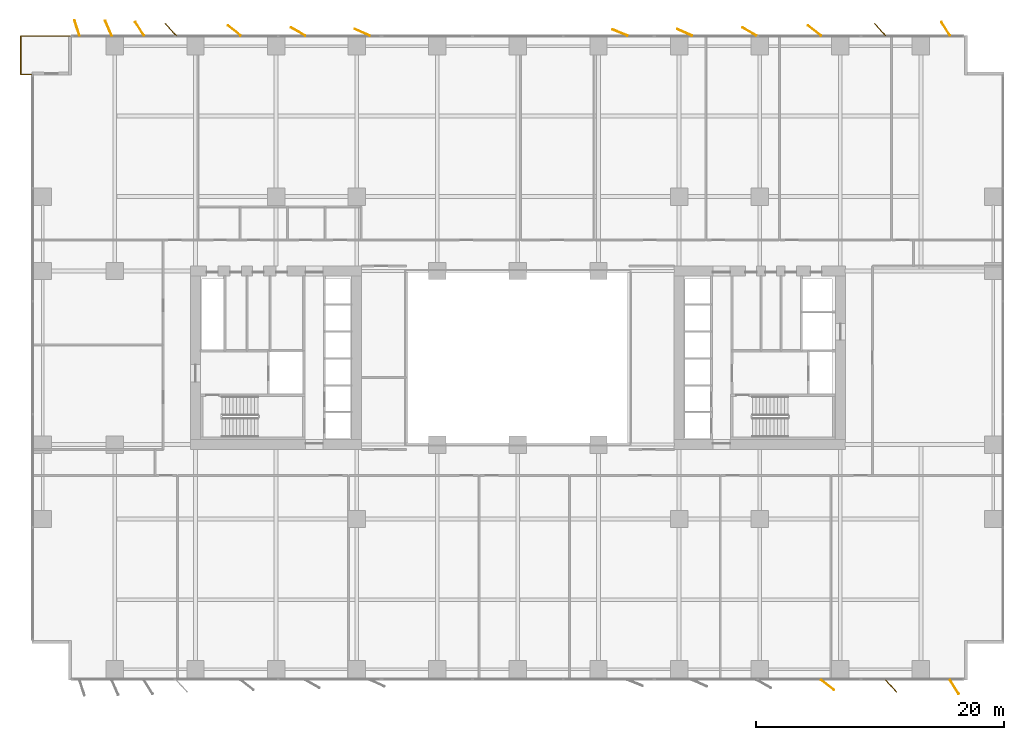
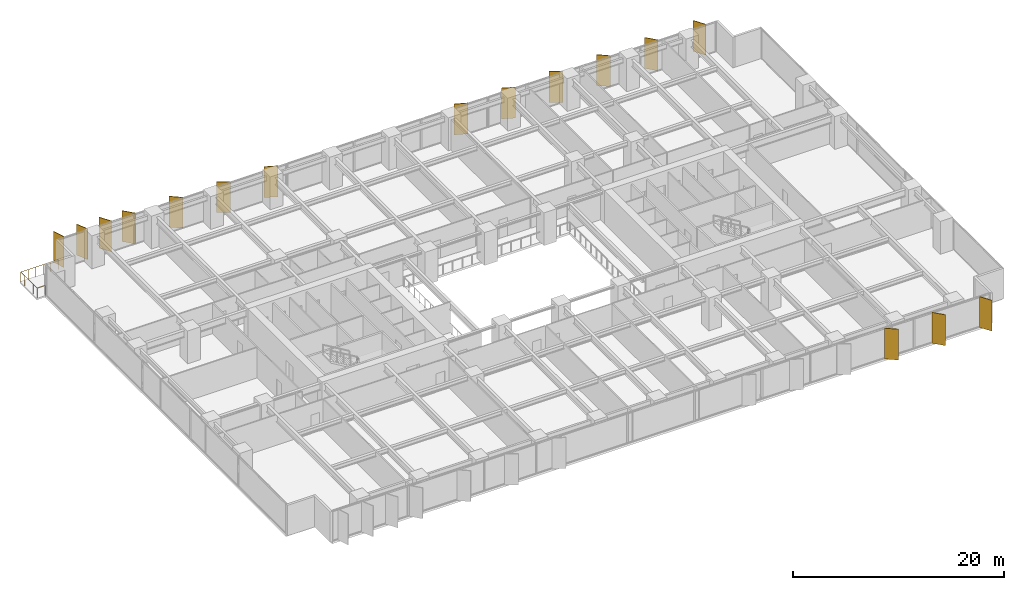
# One storey, part 20 of 20: 16 shading devices, 1 railing.
"""IFC4 building model written with IfcOpenShell, lengths in metres."""

from ifc_helpers import new_model, si_unit, direction, frame, origin, origin_2d, place, context, subcontext, project, spatial, rectangle, circle, extrude, material, layer, layer_set, type_object, element, save


model = new_model("IFC4")

# Units and contexts
model_context = context("Model", 3, precision=1e-05, world=origin(), true_north=direction((0.0, 1.0)))
body_context = subcontext(model_context, "Body", "Model", "MODEL_VIEW")
ifc_project = project(units=[si_unit("LENGTHUNIT", "METRE"), si_unit("AREAUNIT", "SQUARE_METRE"), si_unit("VOLUMEUNIT", "CUBIC_METRE"), si_unit("PLANEANGLEUNIT", "RADIAN"), si_unit("MASSUNIT", "GRAM", prefix="KILO")], contexts=[model_context])

# Site, building, storey
site_placement = place(None, origin())
site = spatial("IfcSite", under=ifc_project, at=site_placement, CompositionType="ELEMENT")
building_placement = place(site_placement, origin())
building = spatial("IfcBuilding", under=site, at=building_placement, Name="Putna Gate Headquarters", CompositionType="ELEMENT")
storey_placement = place(building_placement, frame((0.0, 0.0, 77.199951171875)))
storey = spatial("IfcBuildingStorey", under=building, at=storey_placement, Name="L18", CompositionType="ELEMENT", Elevation=77.199951171875)

# Railing
ifc_material_1 = material(Name="Anodised bronze steel and laminated glass guardrail", Category="steel")
railing_type = type_object("IfcRailingType", Name="RAIL-TERR-GUARD-1150", PredefinedType="GUARDRAIL", material=ifc_material_1)
railing_placement = place(storey_placement, frame((-0.199951171875, 48.860107421875, 0.0)))
element("IfcRailing", 1, at=railing_placement, inside=storey, type_object=railing_type, Name="L18 Spiral Sky Terrace Guardrail NW", PredefinedType="GUARDRAIL", context=body_context, shape_type="SweptSolid", body=[
    extrude(circle(Radius=0.02392578125, at=origin_2d()), frame((0.0, 0.0, 1.1259765625), z_axis=(-1.0, 0.0, 0.0), x_axis=(0.0, -1.0, 0.0)), (0.0, 0.0, 1.0), 0.89013671875),
    extrude(circle(Radius=0.02392578125, at=origin_2d()), frame((-0.89013671875, 0.0, 1.1259765625), z_axis=(0.0, 1.0, 0.0), x_axis=(-1.0, 0.0, 0.0)), (0.0, 0.0, 1.0), 3.079833984375),
    extrude(circle(Radius=0.02392578125, at=origin_2d()), frame((-0.89013671875, 3.079833984375, 1.1259765625), z_axis=(1.0, 0.0, 0.0), x_axis=(0.0, 1.0, 0.0)), (0.0, 0.0, 1.0), 4.090087890625),
    extrude(circle(Radius=0.02099609375, at=origin_2d()), origin(), (0.0, 0.0, 1.0), 1.101806640625),
    extrude(circle(Radius=0.02099609375, at=origin_2d()), frame((-0.89013671875, 0.0, 0.0)), (0.0, 0.0, 1.0), 1.101806640625),
    extrude(circle(Radius=0.02099609375, at=origin_2d()), frame((-0.89013671875, 0.77001953125, 0.0)), (0.0, 0.0, 1.0), 1.101806640625),
    extrude(circle(Radius=0.02099609375, at=origin_2d()), frame((-0.89013671875, 1.5400390625, 0.0)), (0.0, 0.0, 1.0), 1.101806640625),
    extrude(circle(Radius=0.02099609375, at=origin_2d()), frame((-0.89013671875, 2.309814453125, 0.0)), (0.0, 0.0, 1.0), 1.101806640625),
    extrude(circle(Radius=0.02099609375, at=origin_2d()), frame((-0.89013671875, 3.079833984375, 0.0)), (0.0, 0.0, 1.0), 1.101806640625),
    extrude(circle(Radius=0.02099609375, at=origin_2d()), frame((-0.072021484375, 3.079833984375, 0.0)), (0.0, 0.0, 1.0), 1.101806640625),
    extrude(circle(Radius=0.02099609375, at=origin_2d()), frame((0.745849609375, 3.079833984375, 0.0)), (0.0, 0.0, 1.0), 1.101806640625),
    extrude(circle(Radius=0.02099609375, at=origin_2d()), frame((1.56396484375, 3.079833984375, 0.0)), (0.0, 0.0, 1.0), 1.101806640625),
    extrude(circle(Radius=0.02099609375, at=origin_2d()), frame((2.3818359375, 3.079833984375, 0.0)), (0.0, 0.0, 1.0), 1.101806640625),
    extrude(circle(Radius=0.02099609375, at=origin_2d()), frame((3.199951171875, 3.079833984375, 0.0)), (0.0, 0.0, 1.0), 1.101806640625),
])

# Shading devices
ifc_material_2 = material(Name="Anodised architectural bronze aluminium fin", Category="aluminium")
ifc_layer = layer(ifc_material_2, 0.06494140625)
ifc_layer_set = layer_set([ifc_layer], Name="Anodised architectural bronze aluminium fin")
shading_device_type = type_object("IfcShadingDeviceType", Name="SHADE-BRONZE-FIN-1320", PredefinedType="USERDEFINED", material=ifc_layer_set)
for number, where, z_axis, x_axis, name in (
    (2, (3.4462890625, 52.602783203125, -0.02001953125), (0.0, 0.0, 1.0), (-0.308684994204, 0.951164325631, 0.0), "L18 Bronze Vertical Shading Fin N1"),
    (3, (5.985595703125, 52.57958984375, -0.02001953125), (0.0, 0.0, 1.0), (-0.400668879095, 0.916222925562, 0.0), "L18 Bronze Vertical Shading Fin N2"),
    (4, (8.499755859375, 52.534423828125, -0.02001953125), (0.0, 0.0, 1.0), (-0.530659123936, 0.847585331506, 0.0), "L18 Bronze Vertical Shading Fin N3"),
    (5, (11.00830078125, 52.465576171875, -0.02001953125), (0.0, 0.0, 1.0), (-0.669130606359, 0.743144825477, 0.0), "L18 Bronze Vertical Shading Fin N4"),
    (6, (16.13037109375, 52.3818359375, -0.02001953125), (0.0, 0.0, 1.0), (-0.787473187632, 0.616348909921, 0.0), "L18 Bronze Vertical Shading Fin N5"),
    (7, (21.276123046875, 52.30126953125, -0.02001953125), (0.0, 0.0, 1.0), (-0.869322458298, 0.494245347472, 0.0), "L18 Bronze Vertical Shading Fin N6"),
    (8, (26.447021484375, 52.2431640625, -0.02001953125), (0.0, 0.0, 1.0), (-0.913687379856, 0.40641773078, 0.0), "L18 Bronze Vertical Shading Fin N7"),
    (9, (47.238037109375, 52.22216796875, -0.02001953125), (0.0, 0.0, 1.0), (-0.927183854567, 0.374606593416, 0.0), "L18 Bronze Vertical Shading Fin N8"),
    (10, (52.447021484375, 52.2431640625, -0.02001953125), (0.0, 0.0, 1.0), (-0.913687379856, 0.40641773078, 0.0), "L18 Bronze Vertical Shading Fin N9"),
    (11, (57.67626953125, 52.30126953125, -0.02001953125), (0.0, 0.0, 1.0), (-0.869322458298, 0.494245347472, 0.0), "L18 Bronze Vertical Shading Fin N10"),
    (12, (63.9697265625, -0.3818359375, -0.02001953125), (0.0, 0.0, 1.0), (0.787473187632, -0.616348909921, 0.0), "L18 Bronze Vertical Shading Fin S11"),
    (13, (62.930419921875, 52.3818359375, -0.02001953125), (0.0, 0.0, 1.0), (-0.787473187632, 0.616348909921, 0.0), "L18 Bronze Vertical Shading Fin N11"),
    (14, (69.091552734375, -0.465576171875, -0.02001953125), (0.0, 0.0, 1.0), (0.669130606359, -0.743144825477, 0.0), "L18 Bronze Vertical Shading Fin S12"),
    (15, (68.20849609375, 52.465576171875, -0.02001953125), (0.0, 0.0, 1.0), (-0.669130606359, 0.743144825477, 0.0), "L18 Bronze Vertical Shading Fin N12"),
    (16, (74.2001953125, -0.534423828125, -0.02001953125), (0.0, 0.0, 1.0), (0.530659123936, -0.847585331506, 0.0), "L18 Bronze Vertical Shading Fin S13"),
    (17, (73.499755859375, 52.534423828125, -0.02001953125), (0.0, 0.0, 1.0), (-0.530659123936, 0.847585331506, 0.0), "L18 Bronze Vertical Shading Fin N13"),
):
    element("IfcShadingDevice", number, at=place(storey_placement, frame(where, z_axis=z_axis, x_axis=x_axis)), inside=storey, type_object=shading_device_type, Name=name, ObjectType="FIN", PredefinedType="USERDEFINED", context=body_context, shape_type="SweptSolid", body=[
        extrude(rectangle(XDim=1.320068359375, YDim=0.06494140625, at=origin_2d()), origin(), (0.0, 0.0, 1.0), 3.56005859375),
    ])

save(model, "model.ifc")
